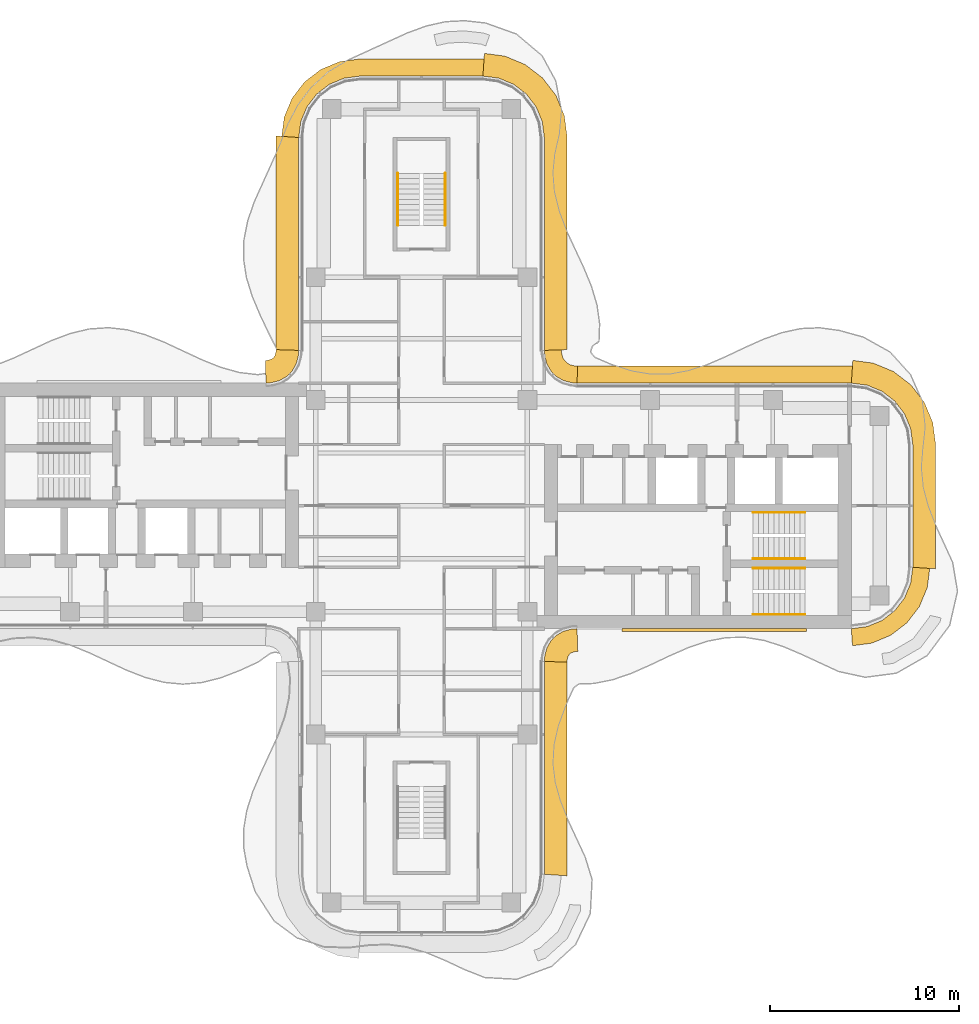
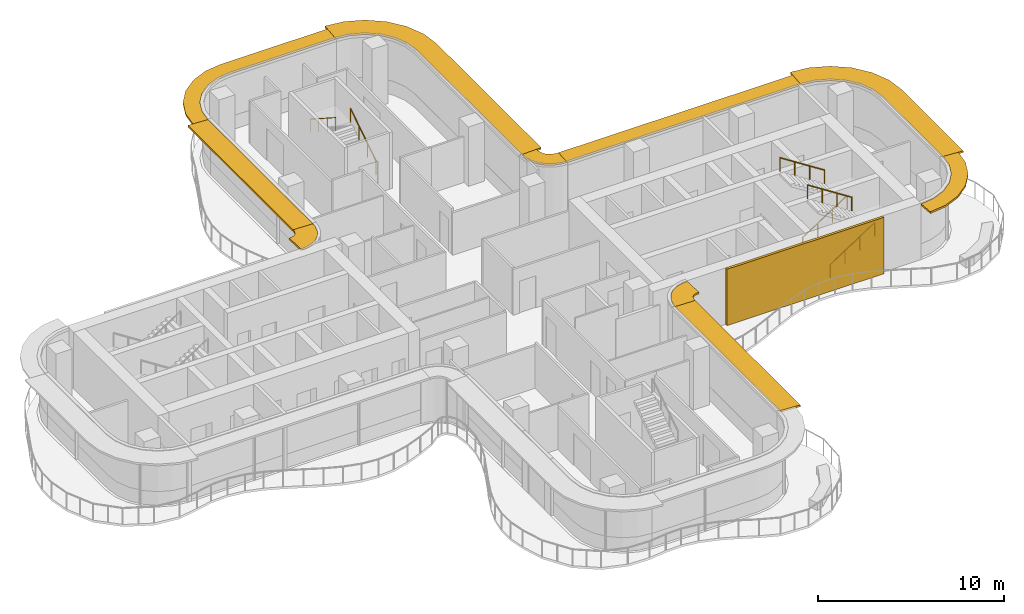
# One storey, part 16 of 16: 10 shading devices, 6 railings, 1 covering.
"""IFC4 building model written with IfcOpenShell, lengths in metres."""

import ifcopenshell
import ifcopenshell.guid

model = None  # the IFC model being written
_history = None  # IfcOwnerHistory: only IFC2X3 demands one
_inside = {}  # id of a spatial element -> (the spatial element, [elements in it])
_under = {}  # id of a project, library or spatial element -> (it, [spatial elements below it])
_declared = {}  # id of a project -> (the project, [libraries it declares])
_typed = {}  # id of a type object -> (the type object, [elements of that type])
_made_of = {}  # id of a material, layer set ... -> (it, [elements and type objects made of it])


def new_model(schema):
    """Start an empty IFC model of exactly this schema.

    Asked for "IFC4X3", IfcOpenShell would pick the latest addendum, in which some entities
    have other attributes; the version numbers below select the first issue.
    IFC2X3 requires an IfcOwnerHistory on every rooted entity: one is made here for all.
    """
    global model, _history
    if schema == "IFC4X3":
        model = ifcopenshell.file(schema_version=(4, 3, 0, 0))
    else:
        model = ifcopenshell.file(schema=schema)
    _inside.clear()
    _under.clear()
    _declared.clear()
    _typed.clear()
    _made_of.clear()
    _history = None
    if model.schema == "IFC2X3":
        org = make("IfcOrganization", Name="unknown")
        user = make(
            "IfcPersonAndOrganization",
            ThePerson=make("IfcPerson", FamilyName="unknown"),
            TheOrganization=org,
        )
        app = make(
            "IfcApplication",
            ApplicationDeveloper=org,
            Version="unknown",
            ApplicationFullName="unknown",
            ApplicationIdentifier="unknown",
        )
        _history = make(
            "IfcOwnerHistory",
            OwningUser=user,
            OwningApplication=app,
            ChangeAction="ADDED",
            CreationDate=0,
        )
    return model


def make(cls, **values):
    """One entity of the class cls with the attributes given. An attribute that is None is left unset."""
    return model.create_entity(
        cls, **{name: value for name, value in values.items() if value is not None}
    )


def rooted(cls, **values):
    """An entity with a GlobalId (a new one), such as an element, a storey or a relation."""
    return make(cls, GlobalId=ifcopenshell.guid.new(), OwnerHistory=_history, **values)


def si_unit(unit_type, name, prefix=None):
    """IfcSIUnit, for example si_unit("LENGTHUNIT", "METRE", prefix="MILLI")."""
    return make("IfcSIUnit", UnitType=unit_type, Prefix=prefix, Name=name)


def assignment(units):
    """IfcUnitAssignment: the units of a project."""
    return None if units is None else make("IfcUnitAssignment", Units=units)


def point(xyz):
    """IfcCartesianPoint."""
    return None if xyz is None else make("IfcCartesianPoint", Coordinates=xyz)


def direction(xyz):
    """IfcDirection."""
    return None if xyz is None else make("IfcDirection", DirectionRatios=xyz)


def frame(location, z_axis=None, x_axis=None):
    """IfcAxis2Placement3D, a coordinate frame: its origin and axes. An axis left out is left unset."""
    return make(
        "IfcAxis2Placement3D",
        Location=point(location),
        Axis=direction(z_axis),
        RefDirection=direction(x_axis),
    )


def frame_2d(location, x_axis=None):
    """IfcAxis2Placement2D, a coordinate frame in the plane: its origin and x axis."""
    return make(
        "IfcAxis2Placement2D", Location=point(location), RefDirection=direction(x_axis)
    )


def origin():
    """The frame at (0, 0, 0) with its axes left unset."""
    return frame((0.0, 0.0, 0.0))


def origin_2d():
    """The frame at (0, 0) in the plane with its x axis left unset."""
    return frame_2d((0.0, 0.0))


def place(relative_to, where):
    """IfcLocalPlacement: puts the frame where relative to a parent placement (None: the world)."""
    return make(
        "IfcLocalPlacement", PlacementRelTo=relative_to, RelativePlacement=where
    )


def context(
    kind, dimensions, precision=None, world=None, true_north=None, identifier=None
):
    """IfcGeometricRepresentationContext, for example the 3D "Model" context."""
    return make(
        "IfcGeometricRepresentationContext",
        ContextIdentifier=identifier,
        ContextType=kind,
        CoordinateSpaceDimension=dimensions,
        Precision=precision,
        WorldCoordinateSystem=world,
        TrueNorth=true_north,
    )


def subcontext(parent, identifier, kind, view, scale=None):
    """IfcGeometricRepresentationSubContext, for example "Body" below "Model"."""
    return make(
        "IfcGeometricRepresentationSubContext",
        ContextIdentifier=identifier,
        ContextType=kind,
        ParentContext=parent,
        TargetScale=scale,
        TargetView=view,
    )


def project(units=None, contexts=None):
    """IfcProject with its units and contexts."""
    return rooted(
        "IfcProject",
        Name="project",
        RepresentationContexts=contexts,
        UnitsInContext=assignment(units),
    )


def spatial(cls, under=None, at=None, **own):
    """A site, building, storey or space (cls), placed at a placement, below another one or the project."""
    s = rooted(cls, ObjectPlacement=at, **own)
    if under is not None:
        _under.setdefault(under.id(), (under, []))[1].append(s)
    return s


def polyline(points):
    """IfcPolyline through the points."""
    return make("IfcPolyline", Points=[point(p) for p in points])


def profile(cls, at=None, kind="AREA", **sizes):
    """A parametric profile (cls). Its sizes go by their IFC names, for example OverallWidth=200.0."""
    return make(cls, ProfileType=kind, Position=at, **sizes)


def circle(**sizes):
    """IfcCircleProfileDef."""
    return profile("IfcCircleProfileDef", **sizes)


def outline(outer, holes=None, kind="AREA"):
    """IfcArbitraryClosedProfileDef: a profile drawn as a closed curve; with holes, ...WithVoids."""
    if holes is None:
        return make("IfcArbitraryClosedProfileDef", ProfileType=kind, OuterCurve=outer)
    return make(
        "IfcArbitraryProfileDefWithVoids",
        ProfileType=kind,
        OuterCurve=outer,
        InnerCurves=holes,
    )


def extrude(swept, where, along, depth):
    """IfcExtrudedAreaSolid: the profile swept, set in the frame where, extruded along a direction by depth."""
    return make(
        "IfcExtrudedAreaSolid",
        SweptArea=swept,
        Position=where,
        ExtrudedDirection=direction(along),
        Depth=depth,
    )


def shape(context_of_items, identifier, shape_type, items):
    """IfcShapeRepresentation: the items that make up one representation, for example the "Body"."""
    return make(
        "IfcShapeRepresentation",
        ContextOfItems=context_of_items,
        RepresentationIdentifier=identifier,
        RepresentationType=shape_type,
        Items=items,
    )


def source(mapping_origin, context_of_items, identifier, shape_type, items):
    """IfcRepresentationMap: a shape defined once, which mapped items show again and again."""
    return make(
        "IfcRepresentationMap",
        MappingOrigin=mapping_origin,
        MappedRepresentation=shape(context_of_items, identifier, shape_type, items),
    )


def transform(
    local_origin,
    x_axis=None,
    y_axis=None,
    z_axis=None,
    scale=None,
    scale2=None,
    scale3=None,
    uniform=True,
):
    """IfcCartesianTransformationOperator3D, or its non-uniform kind. x_axis, y_axis, z_axis: its Axis1, 2, 3."""
    if uniform:
        return make(
            "IfcCartesianTransformationOperator3D",
            Axis1=direction(x_axis),
            Axis2=direction(y_axis),
            LocalOrigin=point(local_origin),
            Scale=scale,
            Axis3=direction(z_axis),
        )
    return make(
        "IfcCartesianTransformationOperator3DnonUniform",
        Axis1=direction(x_axis),
        Axis2=direction(y_axis),
        LocalOrigin=point(local_origin),
        Scale=scale,
        Axis3=direction(z_axis),
        Scale2=scale2,
        Scale3=scale3,
    )


def mapped(mapping_source, mapping_target):
    """IfcMappedItem: shows the shape of a source again, moved by a transform."""
    return make(
        "IfcMappedItem", MappingSource=mapping_source, MappingTarget=mapping_target
    )


def material(Name=None, Category=None):
    """IfcMaterial."""
    return make("IfcMaterial", Name=Name, Category=Category)


def layer(
    of_material, thickness, ventilated=None, Name=None, Category=None, Priority=None
):
    """IfcMaterialLayer: one layer of a wall or slab, of a material (None: an air gap)."""
    return make(
        "IfcMaterialLayer",
        Material=of_material,
        LayerThickness=thickness,
        IsVentilated=ventilated,
        Name=Name,
        Category=Category,
        Priority=Priority,
    )


def layer_set(layers, Name=None):
    """IfcMaterialLayerSet."""
    return make("IfcMaterialLayerSet", MaterialLayers=layers, LayerSetName=Name)


def made_of(thing, what):
    """Note that an element or type object is made of a material, layer set ...; save() writes the relation."""
    if what is not None:
        _made_of.setdefault(what.id(), (what, []))[1].append(thing)
    return thing


def type_object(cls, material=None, **own):
    """A type object (cls), such as IfcWallType, which elements share."""
    return made_of(rooted(cls, **own), material)


def element(
    cls,
    number,
    at=None,
    inside=None,
    cuts=None,
    type_object=None,
    material=None,
    context=None,
    identifier="Body",
    shape_type=None,
    held_by="IfcProductDefinitionShape",
    body=None,
    shapes=None,
    **own,
):
    """One element of the class cls, such as IfcWall. Its Tag is "e" and its number.

    at: its placement. inside: the storey or other place that contains it. cuts: it is an
    opening in that element (IfcRelVoidsElement). A single representation is given by context,
    identifier, shape_type and body (its items); several are given by shapes. held_by: the class
    of the entity that holds the representations. save() writes the other relations.
    """
    e = rooted(cls, Tag="e%d" % number, ObjectPlacement=at, **own)
    if body is not None:
        shapes = [shape(context, identifier, shape_type, body)]
    if shapes is not None:
        e.Representation = make(held_by, Representations=shapes)
    if inside is not None:
        _inside.setdefault(inside.id(), (inside, []))[1].append(e)
    if cuts is not None:
        rooted(
            "IfcRelVoidsElement", RelatingBuildingElement=cuts, RelatedOpeningElement=e
        )
    if type_object is not None:
        _typed.setdefault(type_object.id(), (type_object, []))[1].append(e)
    return made_of(e, material)


def aggregate(whole, parts):
    """IfcRelAggregates: a whole, such as a stair, and the parts it consists of."""
    return rooted("IfcRelAggregates", RelatingObject=whole, RelatedObjects=parts)


def save(model, path):
    """Write the relations noted so far, then the file.

    IfcRelAggregates (storeys below a building ...), IfcRelContainedInSpatialStructure (elements
    in a storey), IfcRelDefinesByType, IfcRelAssociatesMaterial and IfcRelDeclares: one each for
    every whole, place, type object, material and project.
    """
    for whole, parts in _under.values():
        aggregate(whole, parts)
    for where, things in _inside.values():
        rooted(
            "IfcRelContainedInSpatialStructure",
            RelatedElements=things,
            RelatingStructure=where,
        )
    for kind, things in _typed.values():
        rooted("IfcRelDefinesByType", RelatedObjects=things, RelatingType=kind)
    for what, things in _made_of.values():
        rooted("IfcRelAssociatesMaterial", RelatedObjects=things, RelatingMaterial=what)
    for by, libraries in _declared.values():
        rooted("IfcRelDeclares", RelatingContext=by, RelatedDefinitions=libraries)
    model.write(path)


model = new_model("IFC4")

# Units and contexts
model_context = context("Model", 3, precision=1e-05, world=origin(), true_north=direction((0.0, 1.0)))
body_context = subcontext(model_context, "Body", "Model", "MODEL_VIEW")
ifc_project = project(units=[si_unit("LENGTHUNIT", "METRE"), si_unit("AREAUNIT", "SQUARE_METRE"), si_unit("VOLUMEUNIT", "CUBIC_METRE"), si_unit("PLANEANGLEUNIT", "RADIAN"), si_unit("MASSUNIT", "GRAM", prefix="KILO")], contexts=[model_context])

# Site, building, storey
site_placement = place(None, origin())
site = spatial("IfcSite", under=ifc_project, at=site_placement, CompositionType="ELEMENT")
building_placement = place(site_placement, origin())
building = spatial("IfcBuilding", under=site, at=building_placement, Name="Trellis Farm Tower", CompositionType="ELEMENT")
storey_placement = place(building_placement, frame((0.0, 0.0, 298.89990234375)))
storey = spatial("IfcBuildingStorey", under=building, at=storey_placement, Name="L67", CompositionType="ELEMENT", Elevation=298.89990234375)

# Railings
ifc_material_1 = material(Name="Stainless steel", Category="steel")
railing_type = type_object("IfcRailingType", Name="STAIR HANDRAIL 900", PredefinedType="HANDRAIL", material=ifc_material_1)
shared_shape_1 = source(origin(), body_context, "Body", "SweptSolid", [
    extrude(circle(Radius=0.02392578125, at=origin_2d()), frame((0.0, 0.0, 0.8759765625), z_axis=(0.0, 0.840503830235, 0.541805602924), x_axis=(-1.0, 0.0, 0.0)), (0.0, 0.0, 1.0), 3.271728515625),
    extrude(circle(Radius=0.02099609375, at=origin_2d()), origin(), (0.0, 0.0, 1.0), 0.851806640625),
    extrude(circle(Radius=0.02099609375, at=origin_2d()), frame((0.0, 0.916748046875, 0.5908203125)), (0.0, 0.0, 1.0), 0.851806640625),
    extrude(circle(Radius=0.02099609375, at=origin_2d()), frame((0.0, 1.833251953125, 1.181884765625)), (0.0, 0.0, 1.0), 0.851806640625),
    extrude(circle(Radius=0.02099609375, at=origin_2d()), frame((0.0, 2.75, 1.772705078125)), (0.0, 0.0, 1.0), 0.851806640625),
])
railing_1_placement = place(storey_placement, frame((1.25, 14.85009765625, 0.177490234375)))
element("IfcRailing", 1, at=railing_1_placement, inside=storey, type_object=railing_type, Name="Stair handrail", PredefinedType="HANDRAIL", context=body_context, shape_type="MappedRepresentation", body=[
    mapped(shared_shape_1, transform((0.0, 0.0, 0.0))),
])
shared_shape_2 = source(origin(), body_context, "Body", "SweptSolid", [
    extrude(circle(Radius=0.02392578125, at=origin_2d()), frame((0.0, 0.0, 0.8759765625), z_axis=(0.0, -0.840503830235, 0.541805602924), x_axis=(1.0, 0.0, 0.0)), (0.0, 0.0, 1.0), 3.271728515625),
    extrude(circle(Radius=0.02099609375, at=origin_2d()), origin(), (0.0, 0.0, 1.0), 0.851806640625),
    extrude(circle(Radius=0.02099609375, at=origin_2d()), frame((0.0, -0.916748046875, 0.5908203125)), (0.0, 0.0, 1.0), 0.851806640625),
    extrude(circle(Radius=0.02099609375, at=origin_2d()), frame((0.0, -1.833251953125, 1.181884765625)), (0.0, 0.0, 1.0), 0.851806640625),
    extrude(circle(Radius=0.02099609375, at=origin_2d()), frame((0.0, -2.75, 1.772705078125)), (0.0, 0.0, 1.0), 0.851806640625),
])
railing_2_placement = place(storey_placement, frame((-1.25, 17.60009765625, 2.12744140625)))
element("IfcRailing", 2, at=railing_2_placement, inside=storey, type_object=railing_type, Name="Stair handrail", PredefinedType="HANDRAIL", context=body_context, shape_type="MappedRepresentation", body=[
    mapped(shared_shape_2, transform((0.0, 0.0, 0.0))),
])
shared_shape_3 = source(origin(), body_context, "Body", "SweptSolid", [
    extrude(circle(Radius=0.02392578125, at=origin_2d()), frame((0.0, 0.0, 0.8759765625), z_axis=(0.840503830235, 0.0, 0.541805602924), x_axis=(0.0, 1.0, 0.0)), (0.0, 0.0, 1.0), 3.271728515625),
    extrude(circle(Radius=0.02099609375, at=origin_2d()), origin(), (0.0, 0.0, 1.0), 0.851806640625),
    extrude(circle(Radius=0.02099609375, at=origin_2d()), frame((0.916748046875, 0.0, 0.5908203125)), (0.0, 0.0, 1.0), 0.851806640625),
    extrude(circle(Radius=0.02099609375, at=origin_2d()), frame((1.833251953125, 0.0, 1.181884765625)), (0.0, 0.0, 1.0), 0.851806640625),
    extrude(circle(Radius=0.02099609375, at=origin_2d()), frame((2.75, 0.0, 1.772705078125)), (0.0, 0.0, 1.0), 0.851806640625),
])
for number, where, name in (
    (3, (17.550048828125, -5.75, 0.177490234375), "Stair handrail"),
    (4, (17.550048828125, -2.800048828125, 0.177490234375), "Stair handrail"),
):
    element("IfcRailing", number, at=place(storey_placement, frame(where)), inside=storey, type_object=railing_type, Name=name, PredefinedType="HANDRAIL", context=body_context, shape_type="MappedRepresentation", body=[
        mapped(shared_shape_3, transform((0.0, 0.0, 0.0))),
    ])
shared_shape_4 = source(origin(), body_context, "Body", "SweptSolid", [
    extrude(circle(Radius=0.02392578125, at=origin_2d()), frame((0.0, 0.0, 0.8759765625), z_axis=(-0.840503830235, 0.0, 0.541805602924), x_axis=(0.0, -1.0, 0.0)), (0.0, 0.0, 1.0), 3.271728515625),
    extrude(circle(Radius=0.02099609375, at=origin_2d()), origin(), (0.0, 0.0, 1.0), 0.851806640625),
    extrude(circle(Radius=0.02099609375, at=origin_2d()), frame((-0.916748046875, 0.0, 0.5908203125)), (0.0, 0.0, 1.0), 0.851806640625),
    extrude(circle(Radius=0.02099609375, at=origin_2d()), frame((-1.833251953125, 0.0, 1.181884765625)), (0.0, 0.0, 1.0), 0.851806640625),
    extrude(circle(Radius=0.02099609375, at=origin_2d()), frame((-2.75, 0.0, 1.772705078125)), (0.0, 0.0, 1.0), 0.851806640625),
])
for number, where, name in (
    (5, (20.300048828125, -3.300048828125, 2.12744140625), "Stair handrail"),
    (6, (20.300048828125, -0.35009765625, 2.12744140625), "Stair handrail"),
):
    element("IfcRailing", number, at=place(storey_placement, frame(where)), inside=storey, type_object=railing_type, Name=name, PredefinedType="HANDRAIL", context=body_context, shape_type="MappedRepresentation", body=[
        mapped(shared_shape_4, transform((0.0, 0.0, 0.0))),
    ])

# Shading devices
ifc_material_2 = material(Name="Aluminium extrusion 6063-T6", Category="aluminium")
ifc_layer_1 = layer(ifc_material_2, 0.1201171875)
ifc_layer_set_1 = layer_set([ifc_layer_1], Name="SUNSHADE BLADE 1200")
shading_device_type_1 = type_object("IfcShadingDeviceType", Name="SUNSHADE BLADE 1200", PredefinedType="USERDEFINED", material=ifc_layer_set_1)
shared_shape_5 = source(origin(), body_context, "Body", "SweptSolid", [
    extrude(outline(polyline([(7.699951171875, -8.270751953125), (7.708740234375, -8.13720703125), (7.70703125, -8.150146484375), (7.7548828125, -7.9716796875), (7.80712890625, -7.881103515625), (7.881103515625, -7.80712890625), (7.9716796875, -7.7548828125), (8.150146484375, -7.70703125), (8.13720703125, -7.708740234375), (8.270751953125, -7.699951171875), (8.2314453125, -6.5), (8.01953125, -6.513916015625), (7.91552734375, -6.527587890625), (7.508544921875, -6.63671875), (7.144287109375, -6.846923828125), (6.846923828125, -7.144287109375), (6.63671875, -7.508544921875), (6.527587890625, -7.91552734375), (6.513916015625, -8.01953125), (6.5, -8.2314453125), (7.699951171875, -8.270751953125)])), origin(), (0.0, 0.0, 1.0), 0.1201171875),
])
placement = place(storey_placement, frame((0.0, 0.0, 3.5400390625)))
element("IfcShadingDevice", 7, at=placement, inside=storey, type_object=shading_device_type_1, Name="SD2 006", ObjectType="SUNSHADE", PredefinedType="USERDEFINED", context=body_context, shape_type="MappedRepresentation", body=[
    mapped(shared_shape_5, transform((0.0, 0.0, 0.0))),
])
ifc_layer_2 = layer(ifc_material_2, 0.1201171875)
ifc_layer_set_2 = layer_set([ifc_layer_2], Name="SUNSHADE BLADE 900")
shading_device_type_2 = type_object("IfcShadingDeviceType", Name="SUNSHADE BLADE 900", PredefinedType="USERDEFINED", material=ifc_layer_set_2)
shared_shape_6 = source(origin(), body_context, "Body", "SweptSolid", [
    extrude(outline(polyline([(8.2607421875, 7.39990234375), (8.107666015625, 7.409912109375), (8.091552734375, 7.412109375), (7.85595703125, 7.475341796875), (7.697021484375, 7.567138671875), (7.567138671875, 7.697021484375), (7.475341796875, 7.85595703125), (7.412109375, 8.091552734375), (7.409912109375, 8.107666015625), (7.39990234375, 8.2607421875), (6.5, 8.2314453125), (6.513916015625, 8.01953125), (6.527587890625, 7.91552734375), (6.63671875, 7.508544921875), (6.846923828125, 7.144287109375), (7.144287109375, 6.846923828125), (7.508544921875, 6.63671875), (7.91552734375, 6.527587890625), (8.01953125, 6.513916015625), (8.2314453125, 6.5), (8.2607421875, 7.39990234375)])), origin(), (0.0, 0.0, 1.0), 0.1201171875),
])
element("IfcShadingDevice", 8, at=placement, inside=storey, type_object=shading_device_type_2, Name="SD1 010", ObjectType="SUNSHADE", PredefinedType="USERDEFINED", context=body_context, shape_type="MappedRepresentation", body=[
    mapped(shared_shape_6, transform((0.0, 0.0, 0.0))),
])
shared_shape_7 = source(origin(), body_context, "Body", "SweptSolid", [
    extrude(outline(polyline([(-7.699951171875, 8.270751953125), (-7.708740234375, 8.13720703125), (-7.70703125, 8.150146484375), (-7.7548828125, 7.9716796875), (-7.80712890625, 7.881103515625), (-7.881103515625, 7.80712890625), (-7.9716796875, 7.7548828125), (-8.150146484375, 7.70703125), (-8.13720703125, 7.708740234375), (-8.270751953125, 7.699951171875), (-8.2314453125, 6.5), (-8.01953125, 6.513916015625), (-7.91552734375, 6.527587890625), (-7.508544921875, 6.63671875), (-7.144287109375, 6.846923828125), (-6.846923828125, 7.144287109375), (-6.63671875, 7.508544921875), (-6.527587890625, 7.91552734375), (-6.513916015625, 8.01953125), (-6.5, 8.2314453125), (-7.699951171875, 8.270751953125)])), origin(), (0.0, 0.0, 1.0), 0.1201171875),
])
element("IfcShadingDevice", 9, at=placement, inside=storey, type_object=shading_device_type_1, Name="SD2 014", ObjectType="SUNSHADE", PredefinedType="USERDEFINED", context=body_context, shape_type="MappedRepresentation", body=[
    mapped(shared_shape_7, transform((0.0, 0.0, 0.0))),
])
shared_shape_8 = source(origin(), body_context, "Body", "SweptSolid", [
    extrude(outline(polyline([(7.699951171875, 8.270751953125), (7.699951171875, 19.57861328125), (7.558349609375, 20.654541015625), (7.11279296875, 21.730224609375), (6.404052734375, 22.654052734375), (5.480224609375, 23.36279296875), (4.404541015625, 23.808349609375), (3.32861328125, 23.949951171875), (3.25, 22.75), (4.091064453125, 22.63916015625), (4.875, 22.314697265625), (5.548095703125, 21.798095703125), (6.064697265625, 21.125), (6.38916015625, 20.341064453125), (6.5, 19.5), (6.5, 8.2314453125), (7.699951171875, 8.270751953125)])), origin(), (0.0, 0.0, 1.0), 0.1201171875),
])
element("IfcShadingDevice", 10, at=placement, inside=storey, type_object=shading_device_type_1, Name="SD2 011", ObjectType="SUNSHADE", PredefinedType="USERDEFINED", context=body_context, shape_type="MappedRepresentation", body=[
    mapped(shared_shape_8, transform((0.0, 0.0, 0.0))),
])
shared_shape_9 = source(origin(), body_context, "Body", "SweptSolid", [
    extrude(outline(polyline([(3.30908203125, 23.64990234375), (-3.30908203125, 23.64990234375), (-4.326171875, 23.51611328125), (-5.328857421875, 23.100830078125), (-6.18994140625, 22.43994140625), (-6.850830078125, 21.578857421875), (-7.26611328125, 20.576171875), (-7.39990234375, 19.55908203125), (-6.5, 19.5), (-6.38916015625, 20.341064453125), (-6.064697265625, 21.125), (-5.548095703125, 21.798095703125), (-4.875, 22.314697265625), (-4.091064453125, 22.63916015625), (-3.25, 22.75), (3.25, 22.75), (3.30908203125, 23.64990234375)])), origin(), (0.0, 0.0, 1.0), 0.1201171875),
])
element("IfcShadingDevice", 11, at=placement, inside=storey, type_object=shading_device_type_2, Name="SD1 012", ObjectType="SUNSHADE", PredefinedType="USERDEFINED", context=body_context, shape_type="MappedRepresentation", body=[
    mapped(shared_shape_9, transform((0.0, 0.0, 0.0))),
])
shared_shape_10 = source(origin(), body_context, "Body", "SweptSolid", [
    extrude(outline(polyline([(-7.699951171875, 19.57861328125), (-7.699951171875, 8.270751953125), (-6.5, 8.2314453125), (-6.5, 19.5), (-7.699951171875, 19.57861328125)])), origin(), (0.0, 0.0, 1.0), 0.1201171875),
])
element("IfcShadingDevice", 12, at=placement, inside=storey, type_object=shading_device_type_1, Name="SD2 013", ObjectType="SUNSHADE", PredefinedType="USERDEFINED", context=body_context, shape_type="MappedRepresentation", body=[
    mapped(shared_shape_10, transform((0.0, 0.0, 0.0))),
])
shared_shape_11 = source(origin(), body_context, "Body", "SweptSolid", [
    extrude(outline(polyline([(22.80908203125, -7.39990234375), (23.826171875, -7.26611328125), (24.828857421875, -6.850830078125), (25.68994140625, -6.18994140625), (26.350830078125, -5.328857421875), (26.76611328125, -4.326171875), (26.89990234375, -3.30908203125), (26.0, -3.25), (25.88916015625, -4.091064453125), (25.564697265625, -4.875), (25.048095703125, -5.548095703125), (24.375, -6.064697265625), (23.591064453125, -6.38916015625), (22.75, -6.5), (22.80908203125, -7.39990234375)])), origin(), (0.0, 0.0, 1.0), 0.1201171875),
])
element("IfcShadingDevice", 13, at=placement, inside=storey, type_object=shading_device_type_2, Name="SD1 007", ObjectType="SUNSHADE", PredefinedType="USERDEFINED", context=body_context, shape_type="MappedRepresentation", body=[
    mapped(shared_shape_11, transform((0.0, 0.0, 0.0))),
])
shared_shape_12 = source(origin(), body_context, "Body", "SweptSolid", [
    extrude(outline(polyline([(27.199951171875, -3.32861328125), (27.199951171875, 3.32861328125), (27.058349609375, 4.404541015625), (26.61279296875, 5.480224609375), (25.904052734375, 6.404052734375), (24.980224609375, 7.11279296875), (23.904541015625, 7.558349609375), (22.82861328125, 7.699951171875), (22.75, 6.5), (23.591064453125, 6.38916015625), (24.375, 6.064697265625), (25.048095703125, 5.548095703125), (25.564697265625, 4.875), (25.88916015625, 4.091064453125), (26.0, 3.25), (26.0, -3.25), (27.199951171875, -3.32861328125)])), origin(), (0.0, 0.0, 1.0), 0.1201171875),
])
element("IfcShadingDevice", 14, at=placement, inside=storey, type_object=shading_device_type_1, Name="SD2 008", ObjectType="SUNSHADE", PredefinedType="USERDEFINED", context=body_context, shape_type="MappedRepresentation", body=[
    mapped(shared_shape_12, transform((0.0, 0.0, 0.0))),
])
shared_shape_13 = source(origin(), body_context, "Body", "SweptSolid", [
    extrude(outline(polyline([(22.80908203125, 7.39990234375), (8.2607421875, 7.39990234375), (8.2314453125, 6.5), (22.75, 6.5), (22.80908203125, 7.39990234375)])), origin(), (0.0, 0.0, 1.0), 0.1201171875),
])
element("IfcShadingDevice", 15, at=placement, inside=storey, type_object=shading_device_type_2, Name="SD1 009", ObjectType="SUNSHADE", PredefinedType="USERDEFINED", context=body_context, shape_type="MappedRepresentation", body=[
    mapped(shared_shape_13, transform((0.0, 0.0, 0.0))),
])
shared_shape_14 = source(origin(), body_context, "Body", "SweptSolid", [
    extrude(outline(polyline([(7.699951171875, -19.57861328125), (7.699951171875, -8.270751953125), (6.5, -8.2314453125), (6.5, -19.5), (7.699951171875, -19.57861328125)])), origin(), (0.0, 0.0, 1.0), 0.1201171875),
])
element("IfcShadingDevice", 16, at=placement, inside=storey, type_object=shading_device_type_1, Name="SD2 005", ObjectType="SUNSHADE", PredefinedType="USERDEFINED", context=body_context, shape_type="MappedRepresentation", body=[
    mapped(shared_shape_14, transform((0.0, 0.0, 0.0))),
])

# Covering
ifc_material_3 = material(Name="Perforated precast screen (cobogo)", Category="concrete")
ifc_layer_3 = layer(ifc_material_3, 0.14990234375)
ifc_layer_set_3 = layer_set([ifc_layer_3], Name="COBOGO SCREEN PANEL")
covering_type = type_object("IfcCoveringType", Name="COBOGO SCREEN PANEL", PredefinedType="USERDEFINED", material=ifc_layer_set_3)
shared_shape_15 = source(origin(), body_context, "Body", "SweptSolid", [
    extrude(outline(polyline([(10.61572265625, -6.64990234375), (20.36572265625, -6.64990234375), (20.36572265625, -6.5), (10.61572265625, -6.5), (10.61572265625, -6.64990234375)])), origin(), (0.0, 0.0, 1.0), 3.7001953125),
])
covering_placement = place(storey_placement, origin())
element("IfcCovering", 17, at=covering_placement, inside=storey, type_object=covering_type, Name="SC1 01", ObjectType="SCREEN", PredefinedType="USERDEFINED", context=body_context, shape_type="MappedRepresentation", body=[
    mapped(shared_shape_15, transform((0.0, 0.0, 0.0))),
])

save(model, "model.ifc")
